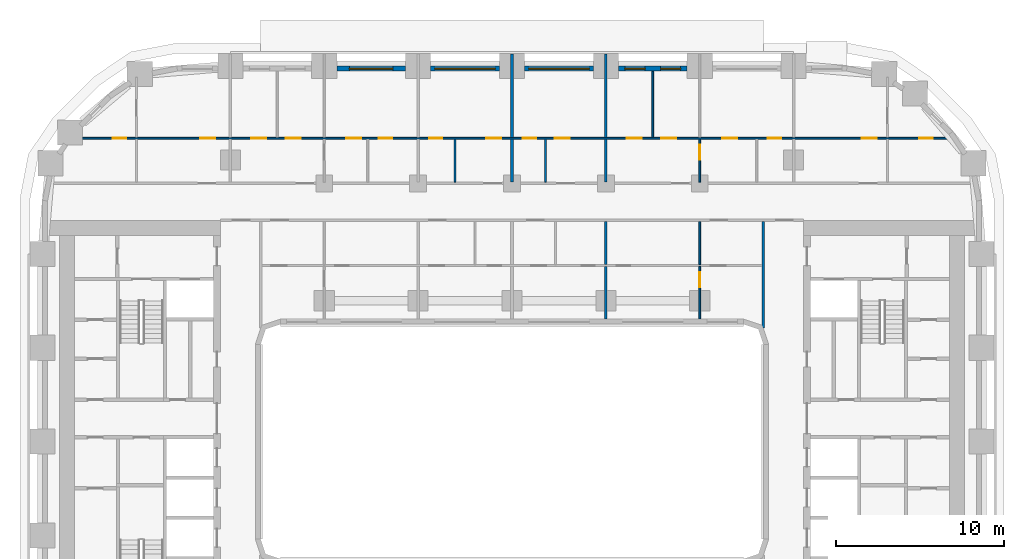
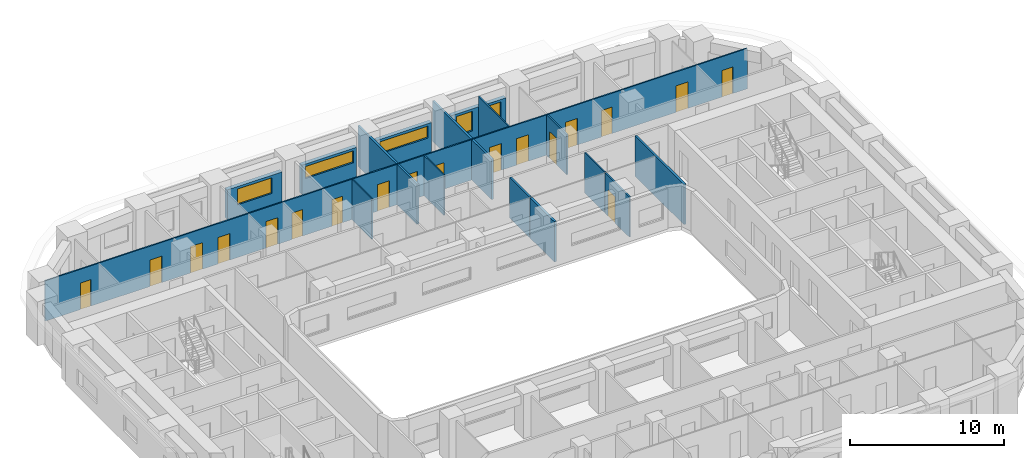
# One storey, part 9 of 21: 18 doors, 18 walls, 5 windows, 23 openings.
"""IFC4 building model written with IfcOpenShell, lengths in metres."""

from ifc_helpers import new_model, si_unit, direction, frame, frame_2d, origin, place, context, subcontext, project, spatial, rectangle, extrude, material, layer, layer_set, type_object, element, fill, save


model = new_model("IFC4")

# Units and contexts
model_context = context("Model", 3, precision=1e-05, world=origin(), true_north=direction((0.0, 1.0)))
body_context = subcontext(model_context, "Body", "Model", "MODEL_VIEW")
ifc_project = project(units=[si_unit("LENGTHUNIT", "METRE"), si_unit("AREAUNIT", "SQUARE_METRE"), si_unit("VOLUMEUNIT", "CUBIC_METRE"), si_unit("PLANEANGLEUNIT", "RADIAN"), si_unit("MASSUNIT", "GRAM", prefix="KILO")], contexts=[model_context])

# Site, building, storey
site_placement = place(None, origin())
site = spatial("IfcSite", under=ifc_project, at=site_placement, CompositionType="ELEMENT")
building_placement = place(site_placement, origin())
building = spatial("IfcBuilding", under=site, at=building_placement, Name="Kiln Ring Residences", CompositionType="ELEMENT")
storey_placement = place(building_placement, frame((0.0, 0.0, 48.0)))
storey = spatial("IfcBuildingStorey", under=building, at=storey_placement, Name="L11", CompositionType="ELEMENT", Elevation=48.0)

# Wall, openings, windows
ifc_material_1 = material(Name="Brick masonry, dark clay brick", Category="masonry")
ifc_layer_1 = layer(ifc_material_1, 0.300048828125)
ifc_layer_set_1 = layer_set([ifc_layer_1], Name="EW-300 BRICK WALL")
wall_type_1 = type_object("IfcWallType", Name="EW-300 BRICK WALL", PredefinedType="SOLIDWALL", material=ifc_layer_set_1)
wall_1_placement = place(storey_placement, frame((10.449951171875, 22.25, 0.0), z_axis=(0.0, 0.0, 1.0), x_axis=(-1.0, 0.0, 0.0)))
wall_1 = element("IfcWall", 1, at=wall_1_placement, inside=storey, type_object=wall_type_1, Name="Facade wall L11 30", PredefinedType="SOLIDWALL", context=body_context, shape_type="SweptSolid", body=[
    extrude(rectangle(XDim=4.099853515625, YDim=0.300048828125, at=frame_2d((2.0498046875, 0.0))), origin(), (0.0, 0.0, 1.0), 2.35009765625),
])
opening_1_placement = place(wall_1_placement, frame((0.387451171875, 0.0, 0.60009765625)))
opening_1 = element("IfcOpeningElement", 2, at=opening_1_placement, cuts=wall_1, Name="Opening W1", PredefinedType="OPENING", context=body_context, shape_type="SweptSolid", body=[
    extrude(rectangle(XDim=1.199951171875, YDim=1.550048828125, at=frame_2d((0.60009765625, 0.77490234375))), frame((0.0, 0.159912109375, 0.0), z_axis=(0.0, -1.0, 0.0), x_axis=(1.0, 0.0, 0.0)), (0.0, 0.0, 1.0), 0.320068359375),
])
opening_2_placement = place(wall_1_placement, frame((2.512451171875, 0.0, 0.60009765625)))
opening_2 = element("IfcOpeningElement", 3, at=opening_2_placement, cuts=wall_1, Name="Opening W1", PredefinedType="OPENING", context=body_context, shape_type="SweptSolid", body=[
    extrude(rectangle(XDim=1.199951171875, YDim=1.550048828125, at=frame_2d((0.60009765625, 0.77490234375))), frame((0.0, 0.159912109375, 0.0), z_axis=(0.0, -1.0, 0.0), x_axis=(1.0, 0.0, 0.0)), (0.0, 0.0, 1.0), 0.320068359375),
])
ifc_material_2 = material(Name="Aluminium frame with double glazing", Category="aluminium")
window_type_1 = type_object("IfcWindowType", Name="WINDOW 1200 x 1550", PartitioningType="SINGLE_PANEL", PredefinedType="WINDOW", material=ifc_material_2)
window_1_placement = place(opening_1_placement, origin())
window_1 = element("IfcWindow", 4, at=window_1_placement, inside=storey, type_object=window_type_1, Name="Window L11 15", OverallHeight=1.550048828125, OverallWidth=1.199951171875, PartitioningType="SINGLE_PANEL", PredefinedType="WINDOW", context=body_context, shape_type="SweptSolid", body=[
    extrude(rectangle(XDim=1.199951171875, YDim=1.550048828125, at=frame_2d((0.60009765625, 0.77490234375))), frame((0.0, 0.030029296875, 0.0), z_axis=(0.0, -1.0, 0.0), x_axis=(1.0, 0.0, 0.0)), (0.0, 0.0, 1.0), 0.06005859375),
])
fill(opening_1, window_1)
window_2_placement = place(opening_2_placement, origin())
window_2 = element("IfcWindow", 5, at=window_2_placement, inside=storey, type_object=window_type_1, Name="Window L11 16", OverallHeight=1.550048828125, OverallWidth=1.199951171875, PartitioningType="SINGLE_PANEL", PredefinedType="WINDOW", context=body_context, shape_type="SweptSolid", body=[
    extrude(rectangle(XDim=1.199951171875, YDim=1.550048828125, at=frame_2d((0.60009765625, 0.77490234375))), frame((0.0, 0.030029296875, 0.0), z_axis=(0.0, -1.0, 0.0), x_axis=(1.0, 0.0, 0.0)), (0.0, 0.0, 1.0), 0.06005859375),
])
fill(opening_2, window_2)

# Wall, opening, window
wall_2_placement = place(storey_placement, frame((4.85009765625, 22.25, 0.0), z_axis=(0.0, 0.0, 1.0), x_axis=(-1.0, 0.0, 0.0)))
wall_2 = element("IfcWall", 6, at=wall_2_placement, inside=storey, type_object=wall_type_1, Name="Facade wall L11 31", PredefinedType="SOLIDWALL", context=body_context, shape_type="SweptSolid", body=[
    extrude(rectangle(XDim=4.10009765625, YDim=0.300048828125, at=frame_2d((2.050048828125, 0.0))), origin(), (0.0, 0.0, 1.0), 2.35009765625),
])
opening_3_placement = place(wall_2_placement, frame((0.25, 0.0, 1.199951171875)))
opening_3 = element("IfcOpeningElement", 7, at=opening_3_placement, cuts=wall_2, Name="Opening W4", PredefinedType="OPENING", context=body_context, shape_type="SweptSolid", body=[
    extrude(rectangle(XDim=3.60009765625, YDim=0.949951171875, at=frame_2d((1.800048828125, 0.47509765625))), frame((0.0, 0.159912109375, 0.0), z_axis=(0.0, -1.0, 0.0), x_axis=(1.0, 0.0, 0.0)), (0.0, 0.0, 1.0), 0.320068359375),
])
ifc_material_3 = material(Name="Aluminium frame with double glazing", Category="aluminium")
window_type_2 = type_object("IfcWindowType", Name="WINDOW 3600 x 950", PartitioningType="SINGLE_PANEL", PredefinedType="WINDOW", material=ifc_material_3)
window_3_placement = place(opening_3_placement, origin())
window_3 = element("IfcWindow", 8, at=window_3_placement, inside=storey, type_object=window_type_2, Name="Window L11 17", OverallHeight=0.949951171875, OverallWidth=3.60009765625, PartitioningType="SINGLE_PANEL", PredefinedType="WINDOW", context=body_context, shape_type="SweptSolid", body=[
    extrude(rectangle(XDim=3.60009765625, YDim=0.949951171875, at=frame_2d((1.800048828125, 0.47509765625))), frame((0.0, 0.030029296875, 0.0), z_axis=(0.0, -1.0, 0.0), x_axis=(1.0, 0.0, 0.0)), (0.0, 0.0, 1.0), 0.06005859375),
])
fill(opening_3, window_3)

wall_3_placement = place(storey_placement, frame((-0.75, 22.25, 0.0), z_axis=(0.0, 0.0, 1.0), x_axis=(-1.0, 0.0, 0.0)))
wall_3 = element("IfcWall", 9, at=wall_3_placement, inside=storey, type_object=wall_type_1, Name="Facade wall L11 32", PredefinedType="SOLIDWALL", context=body_context, shape_type="SweptSolid", body=[
    extrude(rectangle(XDim=4.10009765625, YDim=0.300048828125, at=frame_2d((2.050048828125, 0.0))), origin(), (0.0, 0.0, 1.0), 2.35009765625),
])
opening_4_placement = place(wall_3_placement, frame((0.25, 0.0, 1.199951171875)))
opening_4 = element("IfcOpeningElement", 10, at=opening_4_placement, cuts=wall_3, Name="Opening W4", PredefinedType="OPENING", context=body_context, shape_type="SweptSolid", body=[
    extrude(rectangle(XDim=3.60009765625, YDim=0.949951171875, at=frame_2d((1.800048828125, 0.47509765625))), frame((0.0, 0.159912109375, 0.0), z_axis=(0.0, -1.0, 0.0), x_axis=(1.0, 0.0, 0.0)), (0.0, 0.0, 1.0), 0.320068359375),
])
window_4_placement = place(opening_4_placement, origin())
window_4 = element("IfcWindow", 11, at=window_4_placement, inside=storey, type_object=window_type_2, Name="Window L11 18", OverallHeight=0.949951171875, OverallWidth=3.60009765625, PartitioningType="SINGLE_PANEL", PredefinedType="WINDOW", context=body_context, shape_type="SweptSolid", body=[
    extrude(rectangle(XDim=3.60009765625, YDim=0.949951171875, at=frame_2d((1.800048828125, 0.47509765625))), frame((0.0, 0.030029296875, 0.0), z_axis=(0.0, -1.0, 0.0), x_axis=(1.0, 0.0, 0.0)), (0.0, 0.0, 1.0), 0.06005859375),
])
fill(opening_4, window_4)

wall_4_placement = place(storey_placement, frame((-6.35009765625, 22.25, 0.0), z_axis=(0.0, 0.0, 1.0), x_axis=(-1.0, 0.0, 0.0)))
wall_4 = element("IfcWall", 12, at=wall_4_placement, inside=storey, type_object=wall_type_1, Name="Facade wall L11 33", PredefinedType="SOLIDWALL", context=body_context, shape_type="SweptSolid", body=[
    extrude(rectangle(XDim=4.099853515625, YDim=0.300048828125, at=frame_2d((2.0498046875, 0.0))), origin(), (0.0, 0.0, 1.0), 2.35009765625),
])
opening_5_placement = place(wall_4_placement, frame((0.75, 0.0, 0.89990234375)))
opening_5 = element("IfcOpeningElement", 13, at=opening_5_placement, cuts=wall_4, Name="Opening W3", PredefinedType="OPENING", context=body_context, shape_type="SweptSolid", body=[
    extrude(rectangle(XDim=2.60009765625, YDim=1.25, at=frame_2d((1.300048828125, 0.625))), frame((0.0, 0.159912109375, 0.0), z_axis=(0.0, -1.0, 0.0), x_axis=(1.0, 0.0, 0.0)), (0.0, 0.0, 1.0), 0.320068359375),
])
ifc_material_4 = material(Name="Aluminium frame with double glazing", Category="aluminium")
window_type_3 = type_object("IfcWindowType", Name="WINDOW 2600 x 1250", PartitioningType="SINGLE_PANEL", PredefinedType="WINDOW", material=ifc_material_4)
window_5_placement = place(opening_5_placement, origin())
window_5 = element("IfcWindow", 14, at=window_5_placement, inside=storey, type_object=window_type_3, Name="Window L11 19", OverallHeight=1.25, OverallWidth=2.60009765625, PartitioningType="SINGLE_PANEL", PredefinedType="WINDOW", context=body_context, shape_type="SweptSolid", body=[
    extrude(rectangle(XDim=2.60009765625, YDim=1.25, at=frame_2d((1.300048828125, 0.625))), frame((0.0, 0.030029296875, 0.0), z_axis=(0.0, -1.0, 0.0), x_axis=(1.0, 0.0, 0.0)), (0.0, 0.0, 1.0), 0.06005859375),
])
fill(opening_5, window_5)

# Wall, openings, doors
ifc_material_5 = material(Name="Gypsum board on steel studs", Category="steel")
ifc_layer_2 = layer(ifc_material_5, 0.10009765625)
ifc_layer_set_2 = layer_set([ifc_layer_2], Name="PARTITION-100")
wall_type_2 = type_object("IfcWallType", Name="PARTITION-100", PredefinedType="PARTITIONING", material=ifc_layer_set_2)
wall_5_placement = place(storey_placement, frame((-26.43994140625, 18.10009765625, 0.0), z_axis=(0.0, 0.0, 1.0), x_axis=(1.0, 0.0, 0.0)))
wall_5 = element("IfcWall", 15, at=wall_5_placement, inside=storey, type_object=wall_type_2, Name="Partition 006", PredefinedType="PARTITIONING", context=body_context, shape_type="SweptSolid", body=[
    extrude(rectangle(XDim=52.630126953125, YDim=0.10009765625, at=frame_2d((26.31494140625, 0.0))), origin(), (0.0, 0.0, 1.0), 3.199951171875),
])
opening_6_placement = place(wall_5_placement, frame((2.6259765625, 0.0, 0.0)))
opening_6 = element("IfcOpeningElement", 16, at=opening_6_placement, cuts=wall_5, Name="Opening L11-D020", PredefinedType="OPENING", context=body_context, shape_type="SweptSolid", body=[
    extrude(rectangle(XDim=0.800048828125, YDim=2.10009765625, at=frame_2d((0.39990234375, 1.050048828125))), frame((0.0, 0.06005859375, 0.0), z_axis=(0.0, -1.0, 0.0), x_axis=(1.0, 0.0, 0.0)), (0.0, 0.0, 1.0), 0.1201171875),
])
opening_7_placement = place(wall_5_placement, frame((7.840087890625, 0.0, 0.0)))
opening_7 = element("IfcOpeningElement", 17, at=opening_7_placement, cuts=wall_5, Name="Opening L11-D021", PredefinedType="OPENING", context=body_context, shape_type="SweptSolid", body=[
    extrude(rectangle(XDim=0.89990234375, YDim=2.10009765625, at=frame_2d((0.449951171875, 1.050048828125))), frame((0.0, 0.06005859375, 0.0), z_axis=(0.0, -1.0, 0.0), x_axis=(1.0, 0.0, 0.0)), (0.0, 0.0, 1.0), 0.1201171875),
])
opening_8_placement = place(wall_5_placement, frame((18.489990234375, 0.0, 0.0)))
opening_8 = element("IfcOpeningElement", 18, at=opening_8_placement, cuts=wall_5, Name="Opening L11-D025", PredefinedType="OPENING", context=body_context, shape_type="SweptSolid", body=[
    extrude(rectangle(XDim=0.800048828125, YDim=2.10009765625, at=frame_2d((0.39990234375, 1.050048828125))), frame((0.0, 0.06005859375, 0.0), z_axis=(0.0, -1.0, 0.0), x_axis=(1.0, 0.0, 0.0)), (0.0, 0.0, 1.0), 0.1201171875),
])
opening_9_placement = place(wall_5_placement, frame((16.5400390625, 0.0, 0.0)))
opening_9 = element("IfcOpeningElement", 19, at=opening_9_placement, cuts=wall_5, Name="Opening L11-D026", PredefinedType="OPENING", context=body_context, shape_type="SweptSolid", body=[
    extrude(rectangle(XDim=0.89990234375, YDim=2.10009765625, at=frame_2d((0.449951171875, 1.050048828125))), frame((0.0, 0.06005859375, 0.0), z_axis=(0.0, -1.0, 0.0), x_axis=(1.0, 0.0, 0.0)), (0.0, 0.0, 1.0), 0.1201171875),
])
opening_10_placement = place(wall_5_placement, frame((10.889892578125, 0.0, 0.0)))
opening_10 = element("IfcOpeningElement", 20, at=opening_10_placement, cuts=wall_5, Name="Opening L11-D027", PredefinedType="OPENING", context=body_context, shape_type="SweptSolid", body=[
    extrude(rectangle(XDim=0.89990234375, YDim=2.10009765625, at=frame_2d((0.449951171875, 1.050048828125))), frame((0.0, 0.06005859375, 0.0), z_axis=(0.0, -1.0, 0.0), x_axis=(1.0, 0.0, 0.0)), (0.0, 0.0, 1.0), 0.1201171875),
])
opening_11_placement = place(wall_5_placement, frame((12.93994140625, 0.0, 0.0)))
opening_11 = element("IfcOpeningElement", 21, at=opening_11_placement, cuts=wall_5, Name="Opening L11-D028", PredefinedType="OPENING", context=body_context, shape_type="SweptSolid", body=[
    extrude(rectangle(XDim=0.89990234375, YDim=2.10009765625, at=frame_2d((0.449951171875, 1.050048828125))), frame((0.0, 0.06005859375, 0.0), z_axis=(0.0, -1.0, 0.0), x_axis=(1.0, 0.0, 0.0)), (0.0, 0.0, 1.0), 0.1201171875),
])
opening_12_placement = place(wall_5_placement, frame((21.489990234375, 0.0, 0.0)))
opening_12 = element("IfcOpeningElement", 22, at=opening_12_placement, cuts=wall_5, Name="Opening L11-D030", PredefinedType="OPENING", context=body_context, shape_type="SweptSolid", body=[
    extrude(rectangle(XDim=0.800048828125, YDim=2.10009765625, at=frame_2d((0.39990234375, 1.050048828125))), frame((0.0, 0.06005859375, 0.0), z_axis=(0.0, -1.0, 0.0), x_axis=(1.0, 0.0, 0.0)), (0.0, 0.0, 1.0), 0.1201171875),
])
opening_13_placement = place(wall_5_placement, frame((24.889892578125, 0.0, 0.0)))
opening_13 = element("IfcOpeningElement", 23, at=opening_13_placement, cuts=wall_5, Name="Opening L11-D031", PredefinedType="OPENING", context=body_context, shape_type="SweptSolid", body=[
    extrude(rectangle(XDim=0.89990234375, YDim=2.10009765625, at=frame_2d((0.449951171875, 1.050048828125))), frame((0.0, 0.06005859375, 0.0), z_axis=(0.0, -1.0, 0.0), x_axis=(1.0, 0.0, 0.0)), (0.0, 0.0, 1.0), 0.1201171875),
])
opening_14_placement = place(wall_5_placement, frame((27.090087890625, 0.0, 0.0)))
opening_14 = element("IfcOpeningElement", 24, at=opening_14_placement, cuts=wall_5, Name="Opening L11-D033", PredefinedType="OPENING", context=body_context, shape_type="SweptSolid", body=[
    extrude(rectangle(XDim=0.800048828125, YDim=2.10009765625, at=frame_2d((0.39990234375, 1.050048828125))), frame((0.0, 0.06005859375, 0.0), z_axis=(0.0, -1.0, 0.0), x_axis=(1.0, 0.0, 0.0)), (0.0, 0.0, 1.0), 0.1201171875),
])
opening_15_placement = place(wall_5_placement, frame((28.989990234375, 0.0, 0.0)))
opening_15 = element("IfcOpeningElement", 25, at=opening_15_placement, cuts=wall_5, Name="Opening L11-D034", PredefinedType="OPENING", context=body_context, shape_type="SweptSolid", body=[
    extrude(rectangle(XDim=0.89990234375, YDim=2.10009765625, at=frame_2d((0.449951171875, 1.050048828125))), frame((0.0, 0.06005859375, 0.0), z_axis=(0.0, -1.0, 0.0), x_axis=(1.0, 0.0, 0.0)), (0.0, 0.0, 1.0), 0.1201171875),
])
opening_16_placement = place(wall_5_placement, frame((41.68994140625, 0.0, 0.0)))
opening_16 = element("IfcOpeningElement", 26, at=opening_16_placement, cuts=wall_5, Name="Opening L11-D037", PredefinedType="OPENING", context=body_context, shape_type="SweptSolid", body=[
    extrude(rectangle(XDim=0.800048828125, YDim=2.10009765625, at=frame_2d((0.39990234375, 1.050048828125))), frame((0.0, 0.06005859375, 0.0), z_axis=(0.0, -1.0, 0.0), x_axis=(1.0, 0.0, 0.0)), (0.0, 0.0, 1.0), 0.1201171875),
])
opening_17_placement = place(wall_5_placement, frame((38.989990234375, 0.0, 0.0)))
opening_17 = element("IfcOpeningElement", 27, at=opening_17_placement, cuts=wall_5, Name="Opening L11-D038", PredefinedType="OPENING", context=body_context, shape_type="SweptSolid", body=[
    extrude(rectangle(XDim=0.89990234375, YDim=2.10009765625, at=frame_2d((0.449951171875, 1.050048828125))), frame((0.0, 0.06005859375, 0.0), z_axis=(0.0, -1.0, 0.0), x_axis=(1.0, 0.0, 0.0)), (0.0, 0.0, 1.0), 0.1201171875),
])
opening_18_placement = place(wall_5_placement, frame((33.2900390625, 0.0, 0.0)))
opening_18 = element("IfcOpeningElement", 28, at=opening_18_placement, cuts=wall_5, Name="Opening L11-D039", PredefinedType="OPENING", context=body_context, shape_type="SweptSolid", body=[
    extrude(rectangle(XDim=0.89990234375, YDim=2.10009765625, at=frame_2d((0.449951171875, 1.050048828125))), frame((0.0, 0.06005859375, 0.0), z_axis=(0.0, -1.0, 0.0), x_axis=(1.0, 0.0, 0.0)), (0.0, 0.0, 1.0), 0.1201171875),
])
opening_19_placement = place(wall_5_placement, frame((35.340087890625, 0.0, 0.0)))
opening_19 = element("IfcOpeningElement", 29, at=opening_19_placement, cuts=wall_5, Name="Opening L11-D040", PredefinedType="OPENING", context=body_context, shape_type="SweptSolid", body=[
    extrude(rectangle(XDim=0.89990234375, YDim=2.10009765625, at=frame_2d((0.449951171875, 1.050048828125))), frame((0.0, 0.06005859375, 0.0), z_axis=(0.0, -1.0, 0.0), x_axis=(1.0, 0.0, 0.0)), (0.0, 0.0, 1.0), 0.1201171875),
])
opening_20_placement = place(wall_5_placement, frame((50.739990234375, 0.0, 0.0)))
opening_20 = element("IfcOpeningElement", 30, at=opening_20_placement, cuts=wall_5, Name="Opening L11-D042", PredefinedType="OPENING", context=body_context, shape_type="SweptSolid", body=[
    extrude(rectangle(XDim=0.800048828125, YDim=2.10009765625, at=frame_2d((0.39990234375, 1.050048828125))), frame((0.0, 0.06005859375, 0.0), z_axis=(0.0, -1.0, 0.0), x_axis=(1.0, 0.0, 0.0)), (0.0, 0.0, 1.0), 0.1201171875),
])
opening_21_placement = place(wall_5_placement, frame((47.2900390625, 0.0, 0.0)))
opening_21 = element("IfcOpeningElement", 31, at=opening_21_placement, cuts=wall_5, Name="Opening L11-D043", PredefinedType="OPENING", context=body_context, shape_type="SweptSolid", body=[
    extrude(rectangle(XDim=0.89990234375, YDim=2.10009765625, at=frame_2d((0.449951171875, 1.050048828125))), frame((0.0, 0.06005859375, 0.0), z_axis=(0.0, -1.0, 0.0), x_axis=(1.0, 0.0, 0.0)), (0.0, 0.0, 1.0), 0.1201171875),
])
ifc_material_6 = material(Name="Timber door leaf", Category="wood")
door_type_1 = type_object("IfcDoorType", Name="FLAT-DOOR-800-PL", OperationType="SINGLE_SWING_LEFT", PredefinedType="DOOR", material=ifc_material_6)
door_1_placement = place(opening_6_placement, origin())
door_1 = element("IfcDoor", 32, at=door_1_placement, inside=storey, type_object=door_type_1, Name="Door L11-D020", OperationType="SINGLE_SWING_RIGHT", OverallHeight=2.10009765625, OverallWidth=0.800048828125, PredefinedType="DOOR", context=body_context, shape_type="SweptSolid", body=[
    extrude(rectangle(XDim=0.800048828125, YDim=2.10009765625, at=frame_2d((0.39990234375, 1.050048828125))), frame((0.0, 0.02490234375, 0.0), z_axis=(0.0, -1.0, 0.0), x_axis=(1.0, 0.0, 0.0)), (0.0, 0.0, 1.0), 0.050048828125),
])
fill(opening_6, door_1)
door_2_placement = place(opening_8_placement, origin())
door_2 = element("IfcDoor", 33, at=door_2_placement, inside=storey, type_object=door_type_1, Name="Door L11-D025", OperationType="SINGLE_SWING_LEFT", OverallHeight=2.10009765625, OverallWidth=0.800048828125, PredefinedType="DOOR", context=body_context, shape_type="SweptSolid", body=[
    extrude(rectangle(XDim=0.800048828125, YDim=2.10009765625, at=frame_2d((0.39990234375, 1.050048828125))), frame((0.0, 0.02490234375, 0.0), z_axis=(0.0, -1.0, 0.0), x_axis=(1.0, 0.0, 0.0)), (0.0, 0.0, 1.0), 0.050048828125),
])
fill(opening_8, door_2)
door_3_placement = place(opening_12_placement, origin())
door_3 = element("IfcDoor", 34, at=door_3_placement, inside=storey, type_object=door_type_1, Name="Door L11-D030", OperationType="SINGLE_SWING_RIGHT", OverallHeight=2.10009765625, OverallWidth=0.800048828125, PredefinedType="DOOR", context=body_context, shape_type="SweptSolid", body=[
    extrude(rectangle(XDim=0.800048828125, YDim=2.10009765625, at=frame_2d((0.39990234375, 1.050048828125))), frame((0.0, 0.02490234375, 0.0), z_axis=(0.0, -1.0, 0.0), x_axis=(1.0, 0.0, 0.0)), (0.0, 0.0, 1.0), 0.050048828125),
])
fill(opening_12, door_3)
door_4_placement = place(opening_14_placement, origin())
door_4 = element("IfcDoor", 35, at=door_4_placement, inside=storey, type_object=door_type_1, Name="Door L11-D033", OperationType="SINGLE_SWING_LEFT", OverallHeight=2.10009765625, OverallWidth=0.800048828125, PredefinedType="DOOR", context=body_context, shape_type="SweptSolid", body=[
    extrude(rectangle(XDim=0.800048828125, YDim=2.10009765625, at=frame_2d((0.39990234375, 1.050048828125))), frame((0.0, 0.02490234375, 0.0), z_axis=(0.0, -1.0, 0.0), x_axis=(1.0, 0.0, 0.0)), (0.0, 0.0, 1.0), 0.050048828125),
])
fill(opening_14, door_4)
door_5_placement = place(opening_16_placement, origin())
door_5 = element("IfcDoor", 36, at=door_5_placement, inside=storey, type_object=door_type_1, Name="Door L11-D037", OperationType="SINGLE_SWING_LEFT", OverallHeight=2.10009765625, OverallWidth=0.800048828125, PredefinedType="DOOR", context=body_context, shape_type="SweptSolid", body=[
    extrude(rectangle(XDim=0.800048828125, YDim=2.10009765625, at=frame_2d((0.39990234375, 1.050048828125))), frame((0.0, 0.02490234375, 0.0), z_axis=(0.0, -1.0, 0.0), x_axis=(1.0, 0.0, 0.0)), (0.0, 0.0, 1.0), 0.050048828125),
])
fill(opening_16, door_5)
door_6_placement = place(opening_20_placement, origin())
door_6 = element("IfcDoor", 37, at=door_6_placement, inside=storey, type_object=door_type_1, Name="Door L11-D042", OperationType="SINGLE_SWING_RIGHT", OverallHeight=2.10009765625, OverallWidth=0.800048828125, PredefinedType="DOOR", context=body_context, shape_type="SweptSolid", body=[
    extrude(rectangle(XDim=0.800048828125, YDim=2.10009765625, at=frame_2d((0.39990234375, 1.050048828125))), frame((0.0, 0.02490234375, 0.0), z_axis=(0.0, -1.0, 0.0), x_axis=(1.0, 0.0, 0.0)), (0.0, 0.0, 1.0), 0.050048828125),
])
fill(opening_20, door_6)
ifc_material_7 = material(Name="Timber door leaf", Category="wood")
door_type_2 = type_object("IfcDoorType", Name="FLAT-DOOR-900-PL", OperationType="SINGLE_SWING_LEFT", PredefinedType="DOOR", material=ifc_material_7)
door_7_placement = place(opening_7_placement, origin())
door_7 = element("IfcDoor", 38, at=door_7_placement, inside=storey, type_object=door_type_2, Name="Door L11-D021", OperationType="SINGLE_SWING_LEFT", OverallHeight=2.10009765625, OverallWidth=0.89990234375, PredefinedType="DOOR", context=body_context, shape_type="SweptSolid", body=[
    extrude(rectangle(XDim=0.89990234375, YDim=2.10009765625, at=frame_2d((0.449951171875, 1.050048828125))), frame((0.0, 0.02490234375, 0.0), z_axis=(0.0, -1.0, 0.0), x_axis=(1.0, 0.0, 0.0)), (0.0, 0.0, 1.0), 0.050048828125),
])
fill(opening_7, door_7)
door_8_placement = place(opening_9_placement, origin())
door_8 = element("IfcDoor", 39, at=door_8_placement, inside=storey, type_object=door_type_2, Name="Door L11-D026", OperationType="SINGLE_SWING_LEFT", OverallHeight=2.10009765625, OverallWidth=0.89990234375, PredefinedType="DOOR", context=body_context, shape_type="SweptSolid", body=[
    extrude(rectangle(XDim=0.89990234375, YDim=2.10009765625, at=frame_2d((0.449951171875, 1.050048828125))), frame((0.0, 0.02490234375, 0.0), z_axis=(0.0, -1.0, 0.0), x_axis=(1.0, 0.0, 0.0)), (0.0, 0.0, 1.0), 0.050048828125),
])
fill(opening_9, door_8)
door_9_placement = place(opening_10_placement, origin())
door_9 = element("IfcDoor", 40, at=door_9_placement, inside=storey, type_object=door_type_2, Name="Door L11-D027", OperationType="SINGLE_SWING_LEFT", OverallHeight=2.10009765625, OverallWidth=0.89990234375, PredefinedType="DOOR", context=body_context, shape_type="SweptSolid", body=[
    extrude(rectangle(XDim=0.89990234375, YDim=2.10009765625, at=frame_2d((0.449951171875, 1.050048828125))), frame((0.0, 0.02490234375, 0.0), z_axis=(0.0, -1.0, 0.0), x_axis=(1.0, 0.0, 0.0)), (0.0, 0.0, 1.0), 0.050048828125),
])
fill(opening_10, door_9)
door_10_placement = place(opening_11_placement, origin())
door_10 = element("IfcDoor", 41, at=door_10_placement, inside=storey, type_object=door_type_2, Name="Door L11-D028", OperationType="SINGLE_SWING_RIGHT", OverallHeight=2.10009765625, OverallWidth=0.89990234375, PredefinedType="DOOR", context=body_context, shape_type="SweptSolid", body=[
    extrude(rectangle(XDim=0.89990234375, YDim=2.10009765625, at=frame_2d((0.449951171875, 1.050048828125))), frame((0.0, 0.02490234375, 0.0), z_axis=(0.0, -1.0, 0.0), x_axis=(1.0, 0.0, 0.0)), (0.0, 0.0, 1.0), 0.050048828125),
])
fill(opening_11, door_10)
door_11_placement = place(opening_13_placement, origin())
door_11 = element("IfcDoor", 42, at=door_11_placement, inside=storey, type_object=door_type_2, Name="Door L11-D031", OperationType="SINGLE_SWING_LEFT", OverallHeight=2.10009765625, OverallWidth=0.89990234375, PredefinedType="DOOR", context=body_context, shape_type="SweptSolid", body=[
    extrude(rectangle(XDim=0.89990234375, YDim=2.10009765625, at=frame_2d((0.449951171875, 1.050048828125))), frame((0.0, 0.02490234375, 0.0), z_axis=(0.0, -1.0, 0.0), x_axis=(1.0, 0.0, 0.0)), (0.0, 0.0, 1.0), 0.050048828125),
])
fill(opening_13, door_11)
door_12_placement = place(opening_15_placement, origin())
door_12 = element("IfcDoor", 43, at=door_12_placement, inside=storey, type_object=door_type_2, Name="Door L11-D034", OperationType="SINGLE_SWING_RIGHT", OverallHeight=2.10009765625, OverallWidth=0.89990234375, PredefinedType="DOOR", context=body_context, shape_type="SweptSolid", body=[
    extrude(rectangle(XDim=0.89990234375, YDim=2.10009765625, at=frame_2d((0.449951171875, 1.050048828125))), frame((0.0, 0.02490234375, 0.0), z_axis=(0.0, -1.0, 0.0), x_axis=(1.0, 0.0, 0.0)), (0.0, 0.0, 1.0), 0.050048828125),
])
fill(opening_15, door_12)
door_13_placement = place(opening_17_placement, origin())
door_13 = element("IfcDoor", 44, at=door_13_placement, inside=storey, type_object=door_type_2, Name="Door L11-D038", OperationType="SINGLE_SWING_RIGHT", OverallHeight=2.10009765625, OverallWidth=0.89990234375, PredefinedType="DOOR", context=body_context, shape_type="SweptSolid", body=[
    extrude(rectangle(XDim=0.89990234375, YDim=2.10009765625, at=frame_2d((0.449951171875, 1.050048828125))), frame((0.0, 0.02490234375, 0.0), z_axis=(0.0, -1.0, 0.0), x_axis=(1.0, 0.0, 0.0)), (0.0, 0.0, 1.0), 0.050048828125),
])
fill(opening_17, door_13)
door_14_placement = place(opening_18_placement, origin())
door_14 = element("IfcDoor", 45, at=door_14_placement, inside=storey, type_object=door_type_2, Name="Door L11-D039", OperationType="SINGLE_SWING_LEFT", OverallHeight=2.10009765625, OverallWidth=0.89990234375, PredefinedType="DOOR", context=body_context, shape_type="SweptSolid", body=[
    extrude(rectangle(XDim=0.89990234375, YDim=2.10009765625, at=frame_2d((0.449951171875, 1.050048828125))), frame((0.0, 0.02490234375, 0.0), z_axis=(0.0, -1.0, 0.0), x_axis=(1.0, 0.0, 0.0)), (0.0, 0.0, 1.0), 0.050048828125),
])
fill(opening_18, door_14)
door_15_placement = place(opening_19_placement, origin())
door_15 = element("IfcDoor", 46, at=door_15_placement, inside=storey, type_object=door_type_2, Name="Door L11-D040", OperationType="SINGLE_SWING_RIGHT", OverallHeight=2.10009765625, OverallWidth=0.89990234375, PredefinedType="DOOR", context=body_context, shape_type="SweptSolid", body=[
    extrude(rectangle(XDim=0.89990234375, YDim=2.10009765625, at=frame_2d((0.449951171875, 1.050048828125))), frame((0.0, 0.02490234375, 0.0), z_axis=(0.0, -1.0, 0.0), x_axis=(1.0, 0.0, 0.0)), (0.0, 0.0, 1.0), 0.050048828125),
])
fill(opening_19, door_15)
door_16_placement = place(opening_21_placement, origin())
door_16 = element("IfcDoor", 47, at=door_16_placement, inside=storey, type_object=door_type_2, Name="Door L11-D043", OperationType="SINGLE_SWING_LEFT", OverallHeight=2.10009765625, OverallWidth=0.89990234375, PredefinedType="DOOR", context=body_context, shape_type="SweptSolid", body=[
    extrude(rectangle(XDim=0.89990234375, YDim=2.10009765625, at=frame_2d((0.449951171875, 1.050048828125))), frame((0.0, 0.02490234375, 0.0), z_axis=(0.0, -1.0, 0.0), x_axis=(1.0, 0.0, 0.0)), (0.0, 0.0, 1.0), 0.050048828125),
])
fill(opening_21, door_16)

# Walls
for number, where, z_axis, x_axis, name in (
    (48, (-3.39990234375, 15.47509765625, 0.0), (0.0, 0.0, 1.0), (0.0, 1.0, 0.0), "Partition 035"),
    (49, (2.0, 15.47509765625, 0.0), (0.0, 0.0, 1.0), (0.0, 1.0, 0.0), "Partition 045"),
):
    element("IfcWall", number, at=place(storey_placement, frame(where, z_axis=z_axis, x_axis=x_axis)), inside=storey, type_object=wall_type_2, Name=name, PredefinedType="PARTITIONING", context=body_context, shape_type="SweptSolid", body=[
        extrude(rectangle(XDim=2.574951171875, YDim=0.10009765625, at=frame_2d((1.28759765625, 0.0))), origin(), (0.0, 0.0, 1.0), 3.199951171875),
    ])
wall_6_placement = place(storey_placement, frame((8.39990234375, 18.14990234375, 0.0), z_axis=(0.0, 0.0, 1.0), x_axis=(0.0, 1.0, 0.0)))
element("IfcWall", 50, at=wall_6_placement, inside=storey, type_object=wall_type_2, Name="Partition 055", PredefinedType="PARTITIONING", context=body_context, shape_type="SweptSolid", body=[
    extrude(rectangle(XDim=3.93017578125, YDim=0.10009765625, at=frame_2d((1.965087890625, 0.0))), origin(), (0.0, 0.0, 1.0), 3.199951171875),
])

# Wall, opening, door
wall_7_placement = place(storey_placement, frame((11.199951171875, 7.320068359375, 0.0), z_axis=(0.0, 0.0, 1.0), x_axis=(0.0, 1.0, 0.0)))
wall_7 = element("IfcWall", 51, at=wall_7_placement, inside=storey, type_object=wall_type_2, Name="Partition 058", PredefinedType="PARTITIONING", context=body_context, shape_type="SweptSolid", body=[
    extrude(rectangle(XDim=3.1298828125, YDim=0.10009765625, at=frame_2d((1.56494140625, 0.0))), origin(), (0.0, 0.0, 1.0), 3.199951171875),
])
opening_22_placement = place(wall_7_placement, frame((1.8798828125, 0.0, 0.0)))
opening_22 = element("IfcOpeningElement", 52, at=opening_22_placement, cuts=wall_7, Name="Opening L11-D018", PredefinedType="OPENING", context=body_context, shape_type="SweptSolid", body=[
    extrude(rectangle(XDim=0.89990234375, YDim=2.10009765625, at=frame_2d((0.449951171875, 1.050048828125))), frame((0.0, 0.06005859375, 0.0), z_axis=(0.0, -1.0, 0.0), x_axis=(1.0, 0.0, 0.0)), (0.0, 0.0, 1.0), 0.1201171875),
])
door_17_placement = place(opening_22_placement, origin())
door_17 = element("IfcDoor", 53, at=door_17_placement, inside=storey, type_object=door_type_2, Name="Door L11-D018", OperationType="SINGLE_SWING_LEFT", OverallHeight=2.10009765625, OverallWidth=0.89990234375, PredefinedType="DOOR", context=body_context, shape_type="SweptSolid", body=[
    extrude(rectangle(XDim=0.89990234375, YDim=2.10009765625, at=frame_2d((0.449951171875, 1.050048828125))), frame((0.0, 0.02490234375, 0.0), z_axis=(0.0, -1.0, 0.0), x_axis=(1.0, 0.0, 0.0)), (0.0, 0.0, 1.0), 0.050048828125),
])
fill(opening_22, door_17)

# Wall
wall_8_placement = place(storey_placement, frame((11.199951171875, 10.550048828125, 0.0), z_axis=(0.0, 0.0, 1.0), x_axis=(0.0, 1.0, 0.0)))
element("IfcWall", 54, at=wall_8_placement, inside=storey, type_object=wall_type_2, Name="Partition 059", PredefinedType="PARTITIONING", context=body_context, shape_type="SweptSolid", body=[
    extrude(rectangle(XDim=2.574951171875, YDim=0.10009765625, at=frame_2d((1.28759765625, 0.0))), origin(), (0.0, 0.0, 1.0), 3.199951171875),
])

# Wall, opening, door
wall_9_placement = place(storey_placement, frame((11.199951171875, 15.47509765625, 0.0), z_axis=(0.0, 0.0, 1.0), x_axis=(0.0, 1.0, 0.0)))
wall_9 = element("IfcWall", 55, at=wall_9_placement, inside=storey, type_object=wall_type_2, Name="Partition 060", PredefinedType="PARTITIONING", context=body_context, shape_type="SweptSolid", body=[
    extrude(rectangle(XDim=2.574951171875, YDim=0.10009765625, at=frame_2d((1.28759765625, 0.0))), origin(), (0.0, 0.0, 1.0), 3.199951171875),
])
opening_23_placement = place(wall_9_placement, frame((1.325927734375, 0.0, 0.0)))
opening_23 = element("IfcOpeningElement", 56, at=opening_23_placement, cuts=wall_9, Name="Opening L11-D036", PredefinedType="OPENING", context=body_context, shape_type="SweptSolid", body=[
    extrude(rectangle(XDim=0.89990234375, YDim=2.10009765625, at=frame_2d((0.449951171875, 1.050048828125))), frame((0.0, 0.06005859375, 0.0), z_axis=(0.0, -1.0, 0.0), x_axis=(1.0, 0.0, 0.0)), (0.0, 0.0, 1.0), 0.1201171875),
])
door_18_placement = place(opening_23_placement, origin())
door_18 = element("IfcDoor", 57, at=door_18_placement, inside=storey, type_object=door_type_2, Name="Door L11-D036", OperationType="SINGLE_SWING_RIGHT", OverallHeight=2.10009765625, OverallWidth=0.89990234375, PredefinedType="DOOR", context=body_context, shape_type="SweptSolid", body=[
    extrude(rectangle(XDim=0.89990234375, YDim=2.10009765625, at=frame_2d((0.449951171875, 1.050048828125))), frame((0.0, 0.02490234375, 0.0), z_axis=(0.0, -1.0, 0.0), x_axis=(1.0, 0.0, 0.0)), (0.0, 0.0, 1.0), 0.050048828125),
])
fill(opening_23, door_18)

# Walls
ifc_material_8 = material(Name="Brick masonry partition", Category="masonry")
ifc_layer_3 = layer(ifc_material_8, 0.14990234375)
ifc_layer_set_3 = layer_set([ifc_layer_3], Name="PARTITION-150-ei60")
wall_type_3 = type_object("IfcWallType", Name="PARTITION-150-ei60", PredefinedType="PARTITIONING", material=ifc_layer_set_3)
wall_10_placement = place(storey_placement, frame((0.0, 15.47509765625, 0.0), z_axis=(0.0, 0.0, 1.0), x_axis=(0.0, 1.0, 0.0)))
element("IfcWall", 58, at=wall_10_placement, inside=storey, type_object=wall_type_3, Name="Partition 043", PredefinedType="PARTITIONING", context=body_context, shape_type="SweptSolid", body=[
    extrude(rectangle(XDim=2.574951171875, YDim=0.14990234375, at=frame_2d((1.28759765625, 0.0))), origin(), (0.0, 0.0, 1.0), 3.199951171875),
])
wall_11_placement = place(storey_placement, frame((0.0, 18.14990234375, 0.0), z_axis=(0.0, 0.0, 1.0), x_axis=(0.0, 1.0, 0.0)))
element("IfcWall", 59, at=wall_11_placement, inside=storey, type_object=wall_type_3, Name="Partition 044", PredefinedType="PARTITIONING", context=body_context, shape_type="SweptSolid", body=[
    extrude(rectangle(XDim=4.97998046875, YDim=0.14990234375, at=frame_2d((2.489990234375, 0.0))), origin(), (0.0, 0.0, 1.0), 3.199951171875),
])
wall_12_placement = place(storey_placement, frame((5.60009765625, 7.320068359375, 0.0), z_axis=(0.0, 0.0, 1.0), x_axis=(0.0, 1.0, 0.0)))
element("IfcWall", 60, at=wall_12_placement, inside=storey, type_object=wall_type_3, Name="Partition 051", PredefinedType="PARTITIONING", context=body_context, shape_type="SweptSolid", body=[
    extrude(rectangle(XDim=3.1298828125, YDim=0.14990234375, at=frame_2d((1.56494140625, 0.0))), origin(), (0.0, 0.0, 1.0), 3.199951171875),
])
for number, where, z_axis, x_axis, name in (
    (61, (5.60009765625, 10.550048828125, 0.0), (0.0, 0.0, 1.0), (0.0, 1.0, 0.0), "Partition 052"),
    (62, (5.60009765625, 15.47509765625, 0.0), (0.0, 0.0, 1.0), (0.0, 1.0, 0.0), "Partition 053"),
):
    element("IfcWall", number, at=place(storey_placement, frame(where, z_axis=z_axis, x_axis=x_axis)), inside=storey, type_object=wall_type_3, Name=name, PredefinedType="PARTITIONING", context=body_context, shape_type="SweptSolid", body=[
        extrude(rectangle(XDim=2.574951171875, YDim=0.14990234375, at=frame_2d((1.28759765625, 0.0))), origin(), (0.0, 0.0, 1.0), 3.199951171875),
    ])
wall_13_placement = place(storey_placement, frame((5.60009765625, 18.14990234375, 0.0), z_axis=(0.0, 0.0, 1.0), x_axis=(0.0, 1.0, 0.0)))
element("IfcWall", 63, at=wall_13_placement, inside=storey, type_object=wall_type_3, Name="Partition 054", PredefinedType="PARTITIONING", context=body_context, shape_type="SweptSolid", body=[
    extrude(rectangle(XDim=4.97998046875, YDim=0.14990234375, at=frame_2d((2.489990234375, 0.0))), origin(), (0.0, 0.0, 1.0), 3.199951171875),
])
wall_14_placement = place(storey_placement, frame((15.0, 6.768798828125, 0.0), z_axis=(0.0, 0.0, 1.0), x_axis=(0.0, 1.0, 0.0)))
element("IfcWall", 64, at=wall_14_placement, inside=storey, type_object=wall_type_3, Name="Partition 067", PredefinedType="PARTITIONING", context=body_context, shape_type="SweptSolid", body=[
    extrude(rectangle(XDim=6.356201171875, YDim=0.14990234375, at=frame_2d((3.17822265625, 0.0))), origin(), (0.0, 0.0, 1.0), 3.199951171875),
])

save(model, "model.ifc")
